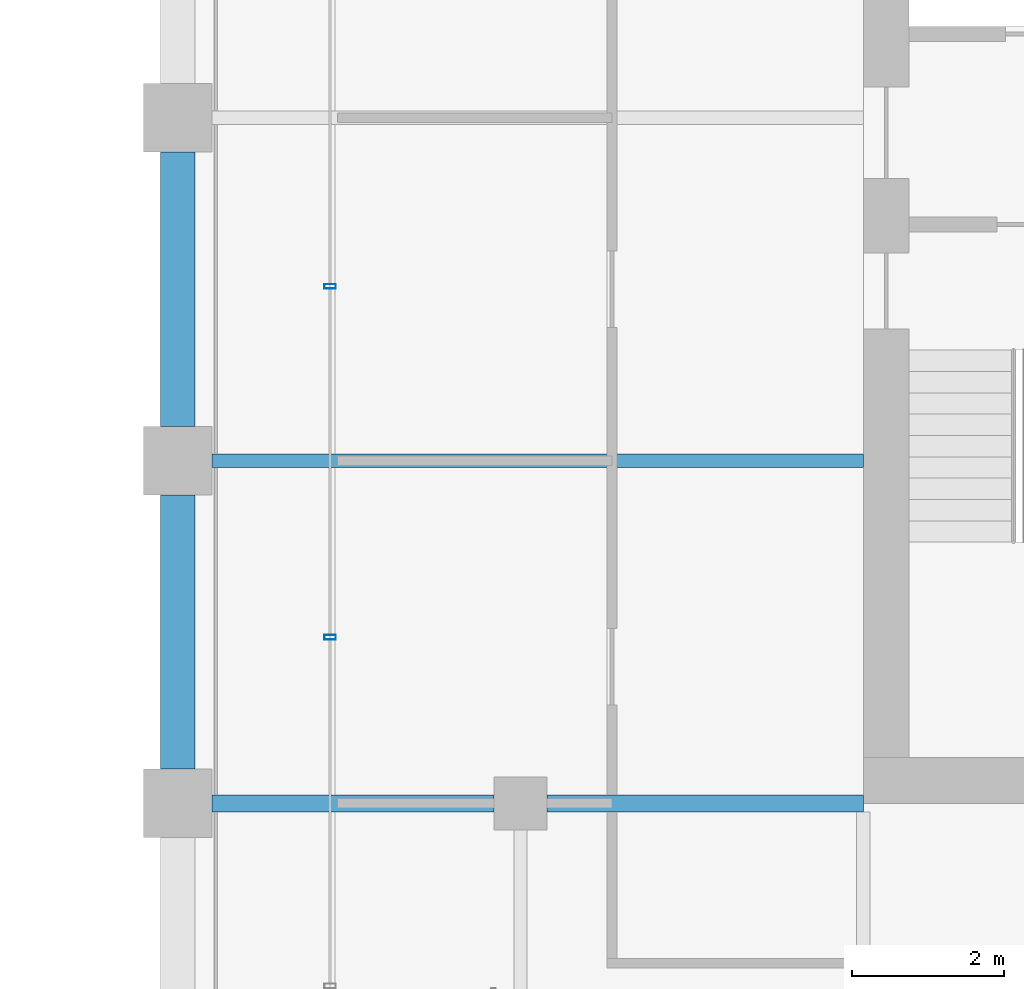
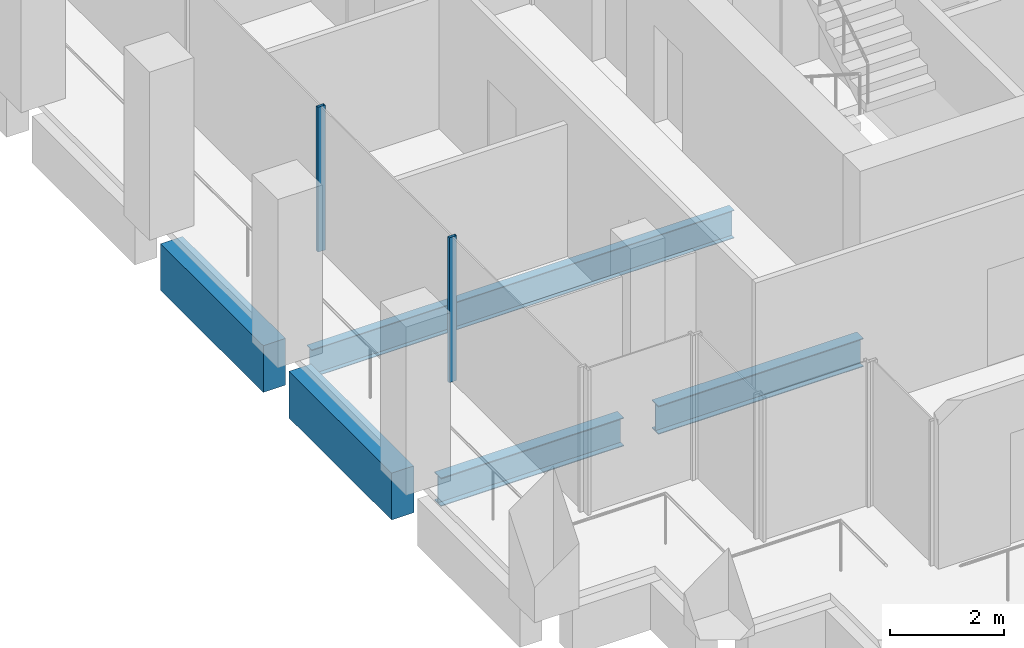
# One storey, part 30 of 40: 5 beams, 2 members, 1 element without a shape of its own.
"""IFC4 building model written with IfcOpenShell, lengths in metres."""

from ifc_helpers import new_model, si_unit, direction, frame, origin, origin_2d, place, context, subcontext, project, spatial, rectangle, hollow_rectangle, i_section, extrude, material, material_profile, profile_set, type_object, element, aggregate, save


model = new_model("IFC4")

# Units and contexts
model_context = context("Model", 3, precision=1e-05, world=origin(), true_north=direction((0.0, 1.0)))
body_context = subcontext(model_context, "Body", "Model", "MODEL_VIEW")
ifc_project = project(units=[si_unit("LENGTHUNIT", "METRE"), si_unit("AREAUNIT", "SQUARE_METRE"), si_unit("VOLUMEUNIT", "CUBIC_METRE"), si_unit("PLANEANGLEUNIT", "RADIAN"), si_unit("MASSUNIT", "GRAM", prefix="KILO")], contexts=[model_context])

# Site, building, storey
site_placement = place(None, origin())
site = spatial("IfcSite", under=ifc_project, at=site_placement, CompositionType="ELEMENT")
building_placement = place(site_placement, origin())
building = spatial("IfcBuilding", under=site, at=building_placement, Name="Altepetl Exchange Towers", CompositionType="ELEMENT")
storey_placement = place(building_placement, frame((0.0, 0.0, 183.39990234375)))
storey = spatial("IfcBuildingStorey", under=building, at=storey_placement, Name="L46", CompositionType="ELEMENT", Elevation=183.39990234375)

# Beams
ifc_material_1 = material(Name="Steel S355", Category="steel")
ifc_material_profile_1 = material_profile(ifc_material_1, i_section(OverallWidth=0.177978515625, OverallDepth=0.59912109375, WebThickness=0.010009765625, FlangeThickness=0.0126953125, at=origin_2d()), Name="W24X55")
ifc_profile_set_1 = profile_set([ifc_material_profile_1], Name="Steel S355")
beam_type_1 = type_object("IfcBeamType", Name="Floor beam W24X55", PredefinedType="BEAM", material=ifc_profile_set_1)
beam_1_placement = place(storey_placement, frame((94.949951171875, 40.5, -0.449462890625), z_axis=(1.0, 0.0, 0.0), x_axis=(0.0, 1.0, 0.0)))
element("IfcBeam", 1, at=beam_1_placement, inside=storey, type_object=beam_type_1, Name="bm:B:L46:004", PredefinedType="BEAM", context=body_context, shape_type="SweptSolid", body=[
    extrude(i_section(OverallWidth=0.177978515625, OverallDepth=0.59912109375, WebThickness=0.010009765625, FlangeThickness=0.0126953125, at=origin_2d()), origin(), (0.0, 0.0, 1.0), 8.550048828125),
])
ifc_material_profile_2 = material_profile(ifc_material_1, i_section(OverallWidth=0.22802734375, OverallDepth=0.60791015625, WebThickness=0.01123046875, FlangeThickness=0.017333984375, at=origin_2d()), Name="W24X76")
ifc_profile_set_2 = profile_set([ifc_material_profile_2], Name="Steel S355")
beam_type_2 = type_object("IfcBeamType", Name="Girder W24X76", PredefinedType="BEAM", material=ifc_profile_set_2)
beam_2_placement = place(storey_placement, frame((103.5, 36.0, -0.453857421875), z_axis=(-1.0, 0.0, 0.0), x_axis=(0.0, -1.0, 0.0)))
element("IfcBeam", 2, at=beam_2_placement, inside=storey, type_object=beam_type_2, Name="gd:B:L46:000", PredefinedType="BEAM", context=body_context, shape_type="SweptSolid", body=[
    extrude(i_section(OverallWidth=0.22802734375, OverallDepth=0.60791015625, WebThickness=0.01123046875, FlangeThickness=0.017333984375, at=origin_2d()), origin(), (0.0, 0.0, 1.0), 4.14990234375),
])
beam_3_placement = place(storey_placement, frame((98.64990234375, 36.0, -0.453857421875), z_axis=(-1.0, 0.0, 0.0), x_axis=(0.0, -1.0, 0.0)))
element("IfcBeam", 3, at=beam_3_placement, inside=storey, type_object=beam_type_2, Name="gd:B:L46:001", PredefinedType="BEAM", context=body_context, shape_type="SweptSolid", body=[
    extrude(i_section(OverallWidth=0.22802734375, OverallDepth=0.60791015625, WebThickness=0.01123046875, FlangeThickness=0.017333984375, at=origin_2d()), origin(), (0.0, 0.0, 1.0), 3.699951171875),
])

# Curtain wall, members
ifc_material_2 = material(Name="Aluminium 6063-T6 glazing", Category="aluminium")
curtain_wall_type = type_object("IfcCurtainWallType", Name="Loggia glazing system", PredefinedType="NOTDEFINED", material=ifc_material_2)
curtain_wall_placement = place(storey_placement, origin())
curtain_wall = element("IfcCurtainWall", 4, at=curtain_wall_placement, inside=storey, type_object=curtain_wall_type, Name="CW1 run", PredefinedType="NOTDEFINED")
ifc_material_3 = material(Name="Aluminium 6063-T6", Category="aluminium")
ifc_material_profile_3 = material_profile(ifc_material_3, hollow_rectangle(XDim=0.06005859375, YDim=0.14990234375, WallThickness=0.0029296875, at=origin_2d()), Name="Mullion 60x150 aluminium")
ifc_profile_set_3 = profile_set([ifc_material_profile_3], Name="Aluminium 6063-T6")
member_type = type_object("IfcMemberType", Name="Mullion 60x150 aluminium", PredefinedType="MULLION", material=ifc_profile_set_3)
member_1_placement = place(storey_placement, frame((96.5, 42.78759765625, 0.0), z_axis=(0.0, 0.0, 1.0), x_axis=(0.0, -1.0, 0.0)))
member_1 = element("IfcMember", 5, at=member_1_placement, type_object=member_type, Name="MU1 mullion", PredefinedType="MULLION", context=body_context, shape_type="SweptSolid", body=[
    extrude(hollow_rectangle(XDim=0.06005859375, YDim=0.14990234375, WallThickness=0.0029296875, at=origin_2d()), origin(), (0.0, 0.0, 1.0), 3.10009765625),
])
member_2_placement = place(storey_placement, frame((96.5, 38.18115234375, 0.0), z_axis=(0.0, 0.0, 1.0), x_axis=(0.0, -1.0, 0.0)))
member_2 = element("IfcMember", 6, at=member_2_placement, type_object=member_type, Name="MU1 mullion", PredefinedType="MULLION", context=body_context, shape_type="SweptSolid", body=[
    extrude(hollow_rectangle(XDim=0.06005859375, YDim=0.14990234375, WallThickness=0.0029296875, at=origin_2d()), origin(), (0.0, 0.0, 1.0), 3.10009765625),
])
aggregate(curtain_wall, [member_1, member_2])

# Beams
ifc_material_4 = material(Name="Concrete C50/60 precast with cantera rosa facing", Category="concrete")
ifc_material_profile_4 = material_profile(ifc_material_4, rectangle(XDim=0.449951171875, YDim=1.0, at=origin_2d()), Name="450 x 1000")
ifc_profile_set_4 = profile_set([ifc_material_profile_4], Name="Concrete C50/60 precast with cantera rosa facing")
beam_type_3 = type_object("IfcBeamType", Name="Spandrel beam 450x1000 cantera rosa", PredefinedType="SPANDREL", material=ifc_profile_set_4)
for number, where, z_axis, x_axis, name in (
    (7, (94.5, 44.550048828125, -0.64990234375), (0.0, -1.0, 0.0), (1.0, 0.0, 0.0), "sp:B:L46:017"),
    (8, (94.5, 40.050048828125, -0.64990234375), (0.0, -1.0, 0.0), (1.0, 0.0, 0.0), "sp:B:L46:018"),
):
    element("IfcBeam", number, at=place(storey_placement, frame(where, z_axis=z_axis, x_axis=x_axis)), inside=storey, type_object=beam_type_3, Name=name, PredefinedType="SPANDREL", context=body_context, shape_type="SweptSolid", body=[
        extrude(rectangle(XDim=0.449951171875, YDim=1.0, at=origin_2d()), origin(), (0.0, 0.0, 1.0), 3.60009765625),
    ])

save(model, "model.ifc")
